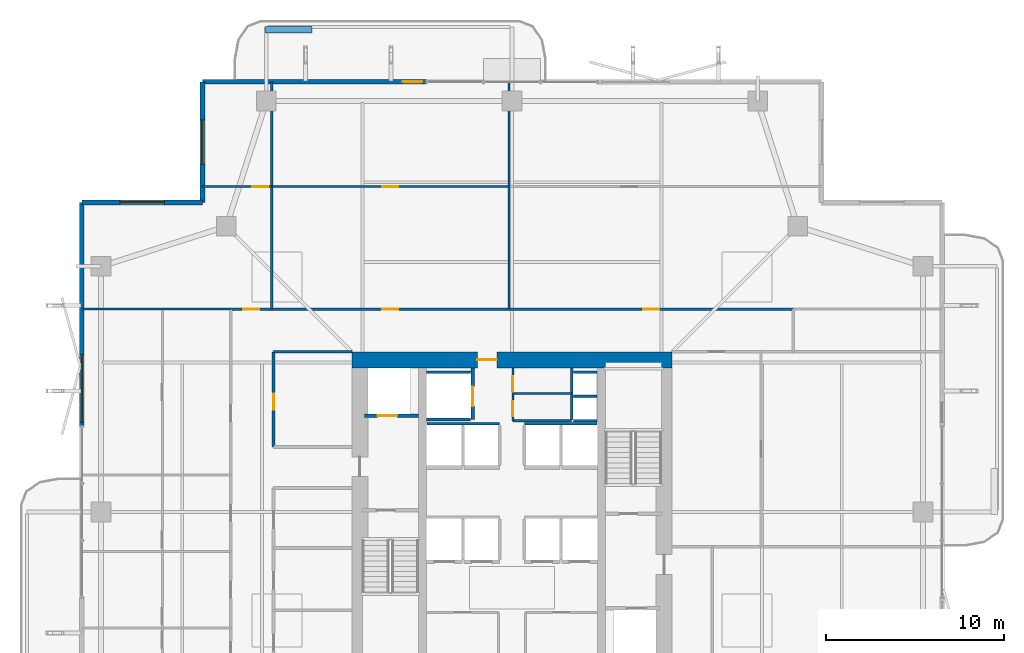
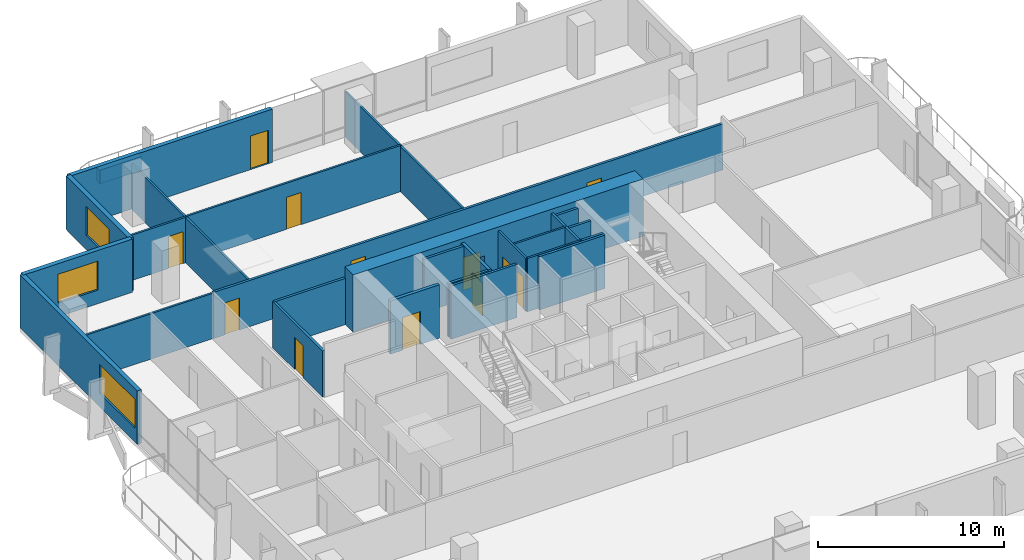
# One storey, part 20 of 25: 27 walls, 12 doors, 3 windows, 15 openings.
"""IFC4 building model written with IfcOpenShell, lengths in metres."""

from ifc_helpers import new_model, si_unit, direction, frame, frame_2d, origin, place, context, subcontext, project, spatial, rectangle, extrude, material, layer, layer_set, type_object, element, fill, save


model = new_model("IFC4")

# Units and contexts
model_context = context("Model", 3, precision=1e-05, world=origin(), true_north=direction((0.0, 1.0)))
body_context = subcontext(model_context, "Body", "Model", "MODEL_VIEW")
ifc_project = project(units=[si_unit("LENGTHUNIT", "METRE"), si_unit("AREAUNIT", "SQUARE_METRE"), si_unit("VOLUMEUNIT", "CUBIC_METRE"), si_unit("PLANEANGLEUNIT", "RADIAN"), si_unit("MASSUNIT", "GRAM", prefix="KILO")], contexts=[model_context])

# Site, building, storey
site_placement = place(None, origin())
site = spatial("IfcSite", under=ifc_project, at=site_placement, CompositionType="ELEMENT")
building_placement = place(site_placement, origin())
building = spatial("IfcBuilding", under=site, at=building_placement, Name="Belovzor Exchange Tower", CompositionType="ELEMENT")
storey_placement = place(building_placement, frame((0.0, 0.0, 153.300048828125)))
storey = spatial("IfcBuildingStorey", under=building, at=storey_placement, Name="L37", CompositionType="ELEMENT", Elevation=153.300048828125)

# Wall, opening, door
ifc_material_1 = material(Name="Acoustic Plasterboard on Galvanised Studs", Category="gypsum")
ifc_layer_1 = layer(ifc_material_1, 0.1201171875)
ifc_layer_set_1 = layer_set([ifc_layer_1], Name="Acoustic Plasterboard on Galvanised Studs")
wall_type_1 = type_object("IfcWallType", Name="Acoustic Double-Stud Partition Wall 120", PredefinedType="PARTITIONING", material=ifc_layer_set_1)
wall_1_placement = place(storey_placement, frame((11.39990234375, 47.0830078125, 0.0), z_axis=(0.0, 0.0, 1.0), x_axis=(1.0, 0.0, 0.0)))
wall_1 = element("IfcWall", 1, at=wall_1_placement, inside=storey, type_object=wall_type_1, Name="W-P120 Partition Wall W-L37-NHDIV-0", PredefinedType="PARTITIONING", context=body_context, shape_type="SweptSolid", body=[
    extrude(rectangle(XDim=3.900146484375, YDim=0.1201171875, at=frame_2d((1.9501953125, 0.0))), origin(), (0.0, 0.0, 1.0), 2.97998046875),
])
opening_1_placement = place(wall_1_placement, frame((2.800048828125, 0.0, 0.0)))
opening_1 = element("IfcOpeningElement", 2, at=opening_1_placement, cuts=wall_1, Name="Opening D-INT-090", PredefinedType="OPENING", context=body_context, shape_type="SweptSolid", body=[
    extrude(rectangle(XDim=0.89990234375, YDim=2.10009765625, at=frame_2d((0.449951171875, 1.050048828125))), frame((0.0, 0.070068359375, 0.0), z_axis=(0.0, -1.0, 0.0), x_axis=(1.0, 0.0, 0.0)), (0.0, 0.0, 1.0), 0.14013671875),
])
ifc_material_2 = material(Name="Veneered Hardwood Acoustic Leaf", Category="wood")
door_type_1 = type_object("IfcDoorType", Name="Trading Suite Acoustic Single Door 900x2100", OperationType="NOTDEFINED", PredefinedType="DOOR", material=ifc_material_2)
door_1_placement = place(opening_1_placement, origin())
door_1 = element("IfcDoor", 3, at=door_1_placement, inside=storey, type_object=door_type_1, Name="D-INT-090 Trading Suite Acoustic Single Door 900x2100", OperationType="SINGLE_SWING_RIGHT", OverallHeight=2.10009765625, OverallWidth=0.89990234375, PredefinedType="DOOR", context=body_context, shape_type="SweptSolid", body=[
    extrude(rectangle(XDim=0.89990234375, YDim=2.10009765625, at=frame_2d((0.449951171875, 1.050048828125))), frame((0.0, 0.02490234375, 0.0), z_axis=(0.0, -1.0, 0.0), x_axis=(1.0, 0.0, 0.0)), (0.0, 0.0, 1.0), 0.050048828125),
])
fill(opening_1, door_1)

# Wall
wall_2_placement = place(storey_placement, frame((15.300048828125, 40.199951171875, 0.0), z_axis=(0.0, 0.0, 1.0), x_axis=(0.0, 1.0, 0.0)))
element("IfcWall", 4, at=wall_2_placement, inside=storey, type_object=wall_type_1, Name="W-P120 Partition Wall W-L37-NDIV-1", PredefinedType="PARTITIONING", context=body_context, shape_type="SweptSolid", body=[
    extrude(rectangle(XDim=12.77001953125, YDim=0.1201171875, at=frame_2d((6.385009765625, 0.0))), origin(), (0.0, 0.0, 1.0), 2.97998046875),
])

# Wall, opening, door
wall_3_placement = place(storey_placement, frame((15.300048828125, 47.0830078125, 0.0), z_axis=(0.0, 0.0, 1.0), x_axis=(1.0, 0.0, 0.0)))
wall_3 = element("IfcWall", 5, at=wall_3_placement, inside=storey, type_object=wall_type_1, Name="W-P120 Partition Wall W-L37-NHDIV-1", PredefinedType="PARTITIONING", context=body_context, shape_type="SweptSolid", body=[
    extrude(rectangle(XDim=13.3310546875, YDim=0.1201171875, at=frame_2d((6.66552734375, 0.0))), origin(), (0.0, 0.0, 1.0), 3.030029296875),
])
opening_2_placement = place(wall_3_placement, frame((6.216064453125, 0.0, 0.0)))
opening_2 = element("IfcOpeningElement", 6, at=opening_2_placement, cuts=wall_3, Name="Opening D-INT-090", PredefinedType="OPENING", context=body_context, shape_type="SweptSolid", body=[
    extrude(rectangle(XDim=0.89990234375, YDim=2.10009765625, at=frame_2d((0.449951171875, 1.050048828125))), frame((0.0, 0.070068359375, 0.0), z_axis=(0.0, -1.0, 0.0), x_axis=(1.0, 0.0, 0.0)), (0.0, 0.0, 1.0), 0.14013671875),
])
door_2_placement = place(opening_2_placement, origin())
door_2 = element("IfcDoor", 7, at=door_2_placement, inside=storey, type_object=door_type_1, Name="D-INT-090 Trading Suite Acoustic Single Door 900x2100", OperationType="SINGLE_SWING_RIGHT", OverallHeight=2.10009765625, OverallWidth=0.89990234375, PredefinedType="DOOR", context=body_context, shape_type="SweptSolid", body=[
    extrude(rectangle(XDim=0.89990234375, YDim=2.10009765625, at=frame_2d((0.449951171875, 1.050048828125))), frame((0.0, 0.02490234375, 0.0), z_axis=(0.0, -1.0, 0.0), x_axis=(1.0, 0.0, 0.0)), (0.0, 0.0, 1.0), 0.050048828125),
])
fill(opening_2, door_2)

# Walls
wall_4_placement = place(storey_placement, frame((28.631103515625, 40.199951171875, 0.0), z_axis=(0.0, 0.0, 1.0), x_axis=(0.0, 1.0, 0.0)))
element("IfcWall", 8, at=wall_4_placement, inside=storey, type_object=wall_type_1, Name="W-P120 Partition Wall W-L37-NDIV-2", PredefinedType="PARTITIONING", context=body_context, shape_type="SweptSolid", body=[
    extrude(rectangle(XDim=12.77001953125, YDim=0.1201171875, at=frame_2d((6.385009765625, 0.0))), origin(), (0.0, 0.0, 1.0), 2.97998046875),
])
wall_5_placement = place(storey_placement, frame((4.6298828125, 40.199951171875, 0.0), z_axis=(0.0, 0.0, 1.0), x_axis=(1.0, 0.0, 0.0)))
element("IfcWall", 9, at=wall_5_placement, inside=storey, type_object=wall_type_1, Name="W-P120 Partition Wall W-L37-END-NW", PredefinedType="PARTITIONING", context=body_context, shape_type="SweptSolid", body=[
    extrude(rectangle(XDim=8.3701171875, YDim=0.1201171875, at=frame_2d((4.18505859375, 0.0))), origin(), (0.0, 0.0, 1.0), 2.97998046875),
])

# Wall, openings, doors
ifc_material_3 = material(Name="Fire-Rated Plasterboard on Galvanised Studs", Category="gypsum")
ifc_layer_2 = layer(ifc_material_3, 0.1201171875)
ifc_layer_set_2 = layer_set([ifc_layer_2], Name="Fire-Rated Plasterboard on Galvanised Studs")
wall_type_2 = type_object("IfcWallType", Name="Fire-Rated Double-Stud Partition Wall 120", PredefinedType="PARTITIONING", material=ifc_layer_set_2)
wall_6_placement = place(storey_placement, frame((28.85009765625, 33.925048828125, 0.0), z_axis=(0.0, 0.0, 1.0), x_axis=(0.0, 1.0, 0.0)))
wall_6 = element("IfcWall", 10, at=wall_6_placement, inside=storey, type_object=wall_type_2, Name="W-P120F Partition Wall W-CRV-L37-W", PredefinedType="PARTITIONING", context=body_context, shape_type="SweptSolid", body=[
    extrude(rectangle(XDim=2.974853515625, YDim=0.1201171875, at=frame_2d((1.4873046875, 0.0))), origin(), (0.0, 0.0, 1.0), 3.494873046875),
])
opening_3_placement = place(wall_6_placement, frame((0.25, 0.0, 0.0)))
opening_3 = element("IfcOpeningElement", 11, at=opening_3_placement, cuts=wall_6, Name="Opening D-FD60-085", PredefinedType="OPENING", context=body_context, shape_type="SweptSolid", body=[
    extrude(rectangle(XDim=0.85009765625, YDim=2.10009765625, at=frame_2d((0.425048828125, 1.050048828125))), frame((0.0, 0.070068359375, 0.0), z_axis=(0.0, -1.0, 0.0), x_axis=(1.0, 0.0, 0.0)), (0.0, 0.0, 1.0), 0.14013671875),
])
opening_4_placement = place(wall_6_placement, frame((1.64501953125, 0.0, 0.0)))
opening_4 = element("IfcOpeningElement", 12, at=opening_4_placement, cuts=wall_6, Name="Opening D-FD60-085", PredefinedType="OPENING", context=body_context, shape_type="SweptSolid", body=[
    extrude(rectangle(XDim=0.85009765625, YDim=2.10009765625, at=frame_2d((0.425048828125, 1.050048828125))), frame((0.0, 0.070068359375, 0.0), z_axis=(0.0, -1.0, 0.0), x_axis=(1.0, 0.0, 0.0)), (0.0, 0.0, 1.0), 0.14013671875),
])
ifc_material_4 = material(Name="Fire-Rated Steel Access Leaf", Category="steel")
door_type_2 = type_object("IfcDoorType", Name="Riser & Meter Closet Access Fire Door 850x2100", OperationType="NOTDEFINED", PredefinedType="DOOR", material=ifc_material_4)
door_3_placement = place(opening_3_placement, origin())
door_3 = element("IfcDoor", 13, at=door_3_placement, inside=storey, type_object=door_type_2, Name="D-FD60-085 Riser & Meter Closet Access Fire Door 850x2100", OperationType="SINGLE_SWING_LEFT", OverallHeight=2.10009765625, OverallWidth=0.85009765625, PredefinedType="DOOR", context=body_context, shape_type="SweptSolid", body=[
    extrude(rectangle(XDim=0.85009765625, YDim=2.10009765625, at=frame_2d((0.425048828125, 1.050048828125))), frame((0.0, 0.02490234375, 0.0), z_axis=(0.0, -1.0, 0.0), x_axis=(1.0, 0.0, 0.0)), (0.0, 0.0, 1.0), 0.050048828125),
])
fill(opening_3, door_3)
door_4_placement = place(opening_4_placement, origin())
door_4 = element("IfcDoor", 14, at=door_4_placement, inside=storey, type_object=door_type_2, Name="D-FD60-085 Riser & Meter Closet Access Fire Door 850x2100", OperationType="SINGLE_SWING_RIGHT", OverallHeight=2.10009765625, OverallWidth=0.85009765625, PredefinedType="DOOR", context=body_context, shape_type="SweptSolid", body=[
    extrude(rectangle(XDim=0.85009765625, YDim=2.10009765625, at=frame_2d((0.425048828125, 1.050048828125))), frame((0.0, 0.02490234375, 0.0), z_axis=(0.0, -1.0, 0.0), x_axis=(1.0, 0.0, 0.0)), (0.0, 0.0, 1.0), 0.050048828125),
])
fill(opening_4, door_4)

# Walls
for number, where, z_axis, x_axis, name in (
    (15, (28.85009765625, 35.449951171875, 0.0), (0.0, 0.0, 1.0), (1.0, 0.0, 0.0), "W-P120F Partition Wall W-CRV-L37-M"),
    (16, (28.85009765625, 33.925048828125, 0.0), (0.0, 0.0, 1.0), (1.0, 0.0, 0.0), "W-P120F Partition Wall W-CRV-L37-S"),
):
    element("IfcWall", number, at=place(storey_placement, frame(where, z_axis=z_axis, x_axis=x_axis)), inside=storey, type_object=wall_type_2, Name=name, PredefinedType="PARTITIONING", context=body_context, shape_type="SweptSolid", body=[
        extrude(rectangle(XDim=3.2998046875, YDim=0.1201171875, at=frame_2d((1.64990234375, 0.0))), origin(), (0.0, 0.0, 1.0), 3.494873046875),
    ])
ifc_material_5 = material(Name="Fire-Rated Gypsum Block and Mineral Wool", Category="gypsum")
ifc_layer_3 = layer(ifc_material_5, 0.14990234375)
ifc_layer_set_3 = layer_set([ifc_layer_3], Name="Fire-Rated Gypsum Block and Mineral Wool")
wall_type_3 = type_object("IfcWallType", Name="Fire-Rated Gypsum Block Corridor Wall 150", PredefinedType="PARTITIONING", material=ifc_layer_set_3)
wall_7_placement = place(storey_placement, frame((15.39990234375, 37.800048828125, 0.0), z_axis=(0.0, 0.0, 1.0), x_axis=(1.0, 0.0, 0.0)))
element("IfcWall", 17, at=wall_7_placement, inside=storey, type_object=wall_type_3, Name="W-P150 Partition Wall W-L37-INW-N", PredefinedType="PARTITIONING", context=body_context, shape_type="SweptSolid", body=[
    extrude(rectangle(XDim=4.400146484375, YDim=0.14990234375, at=frame_2d((2.2001953125, 0.0))), origin(), (0.0, 0.0, 1.0), 3.030029296875),
])

# Wall, opening, door
wall_8_placement = place(storey_placement, frame((15.39990234375, 32.449951171875, 0.0), z_axis=(0.0, 0.0, 1.0), x_axis=(0.0, 1.0, 0.0)))
wall_8 = element("IfcWall", 18, at=wall_8_placement, inside=storey, type_object=wall_type_3, Name="W-P150 Partition Wall W-L37-WIE-N", PredefinedType="PARTITIONING", context=body_context, shape_type="SweptSolid", body=[
    extrude(rectangle(XDim=5.35009765625, YDim=0.14990234375, at=frame_2d((2.675048828125, 0.0))), origin(), (0.0, 0.0, 1.0), 3.030029296875),
])
opening_5_placement = place(wall_8_placement, frame((2.10009765625, 0.0, 0.0)))
opening_5 = element("IfcOpeningElement", 19, at=opening_5_placement, cuts=wall_8, Name="Opening D-FD60-090", PredefinedType="OPENING", context=body_context, shape_type="SweptSolid", body=[
    extrude(rectangle(XDim=0.89990234375, YDim=2.10009765625, at=frame_2d((0.449951171875, 1.050048828125))), frame((0.0, 0.0849609375, 0.0), z_axis=(0.0, -1.0, 0.0), x_axis=(1.0, 0.0, 0.0)), (0.0, 0.0, 1.0), 0.169921875),
])
ifc_material_6 = material(Name="Acoustic Timber Fire Leaf", Category="wood")
door_type_3 = type_object("IfcDoorType", Name="Core Service & Restroom Fire Door 900x2100", OperationType="NOTDEFINED", PredefinedType="DOOR", material=ifc_material_6)
door_5_placement = place(opening_5_placement, origin())
door_5 = element("IfcDoor", 20, at=door_5_placement, inside=storey, type_object=door_type_3, Name="D-FD60-090 Core Service & Restroom Fire Door 900x2100", OperationType="SINGLE_SWING_LEFT", OverallHeight=2.10009765625, OverallWidth=0.89990234375, PredefinedType="DOOR", context=body_context, shape_type="SweptSolid", body=[
    extrude(rectangle(XDim=0.89990234375, YDim=2.10009765625, at=frame_2d((0.449951171875, 1.050048828125))), frame((0.0, 0.02490234375, 0.0), z_axis=(0.0, -1.0, 0.0), x_axis=(1.0, 0.0, 0.0)), (0.0, 0.0, 1.0), 0.050048828125),
])
fill(opening_5, door_5)

# Wall, openings, doors
wall_9_placement = place(storey_placement, frame((13.0, 40.199951171875, 0.0), z_axis=(0.0, 0.0, 1.0), x_axis=(1.0, 0.0, 0.0)))
wall_9 = element("IfcWall", 21, at=wall_9_placement, inside=storey, type_object=wall_type_3, Name="W-P150 Partition Wall W-L37-CN", PredefinedType="PARTITIONING", context=body_context, shape_type="SweptSolid", body=[
    extrude(rectangle(XDim=31.60009765625, YDim=0.14990234375, at=frame_2d((15.800048828125, 0.0))), origin(), (0.0, 0.0, 1.0), 3.030029296875),
])
opening_6_placement = place(wall_9_placement, frame((0.699951171875, 0.0, 0.0)))
opening_6 = element("IfcOpeningElement", 22, at=opening_6_placement, cuts=wall_9, Name="Opening D-INT-090", PredefinedType="OPENING", context=body_context, shape_type="SweptSolid", body=[
    extrude(rectangle(XDim=0.89990234375, YDim=2.10009765625, at=frame_2d((0.449951171875, 1.050048828125))), frame((0.0, 0.0849609375, 0.0), z_axis=(0.0, -1.0, 0.0), x_axis=(1.0, 0.0, 0.0)), (0.0, 0.0, 1.0), 0.169921875),
])
opening_7_placement = place(wall_9_placement, frame((8.514892578125, 0.0, 0.0)))
opening_7 = element("IfcOpeningElement", 23, at=opening_7_placement, cuts=wall_9, Name="Opening D-INT-090", PredefinedType="OPENING", context=body_context, shape_type="SweptSolid", body=[
    extrude(rectangle(XDim=0.89990234375, YDim=2.10009765625, at=frame_2d((0.449951171875, 1.050048828125))), frame((0.0, 0.0849609375, 0.0), z_axis=(0.0, -1.0, 0.0), x_axis=(1.0, 0.0, 0.0)), (0.0, 0.0, 1.0), 0.169921875),
])
opening_8_placement = place(wall_9_placement, frame((23.1650390625, 0.0, 0.0)))
opening_8 = element("IfcOpeningElement", 24, at=opening_8_placement, cuts=wall_9, Name="Opening D-INT-090", PredefinedType="OPENING", context=body_context, shape_type="SweptSolid", body=[
    extrude(rectangle(XDim=0.89990234375, YDim=2.10009765625, at=frame_2d((0.449951171875, 1.050048828125))), frame((0.0, 0.0849609375, 0.0), z_axis=(0.0, -1.0, 0.0), x_axis=(1.0, 0.0, 0.0)), (0.0, 0.0, 1.0), 0.169921875),
])
door_6_placement = place(opening_6_placement, origin())
door_6 = element("IfcDoor", 25, at=door_6_placement, inside=storey, type_object=door_type_1, Name="D-INT-090 Trading Suite Acoustic Single Door 900x2100", OperationType="SINGLE_SWING_RIGHT", OverallHeight=2.10009765625, OverallWidth=0.89990234375, PredefinedType="DOOR", context=body_context, shape_type="SweptSolid", body=[
    extrude(rectangle(XDim=0.89990234375, YDim=2.10009765625, at=frame_2d((0.449951171875, 1.050048828125))), frame((0.0, 0.02490234375, 0.0), z_axis=(0.0, -1.0, 0.0), x_axis=(1.0, 0.0, 0.0)), (0.0, 0.0, 1.0), 0.050048828125),
])
fill(opening_6, door_6)
door_7_placement = place(opening_7_placement, origin())
door_7 = element("IfcDoor", 26, at=door_7_placement, inside=storey, type_object=door_type_1, Name="D-INT-090 Trading Suite Acoustic Single Door 900x2100", OperationType="SINGLE_SWING_LEFT", OverallHeight=2.10009765625, OverallWidth=0.89990234375, PredefinedType="DOOR", context=body_context, shape_type="SweptSolid", body=[
    extrude(rectangle(XDim=0.89990234375, YDim=2.10009765625, at=frame_2d((0.449951171875, 1.050048828125))), frame((0.0, 0.02490234375, 0.0), z_axis=(0.0, -1.0, 0.0), x_axis=(1.0, 0.0, 0.0)), (0.0, 0.0, 1.0), 0.050048828125),
])
fill(opening_7, door_7)
door_8_placement = place(opening_8_placement, origin())
door_8 = element("IfcDoor", 27, at=door_8_placement, inside=storey, type_object=door_type_1, Name="D-INT-090 Trading Suite Acoustic Single Door 900x2100", OperationType="SINGLE_SWING_RIGHT", OverallHeight=2.10009765625, OverallWidth=0.89990234375, PredefinedType="DOOR", context=body_context, shape_type="SweptSolid", body=[
    extrude(rectangle(XDim=0.89990234375, YDim=2.10009765625, at=frame_2d((0.449951171875, 1.050048828125))), frame((0.0, 0.02490234375, 0.0), z_axis=(0.0, -1.0, 0.0), x_axis=(1.0, 0.0, 0.0)), (0.0, 0.0, 1.0), 0.050048828125),
])
fill(opening_8, door_8)

# Wall, opening, window
ifc_material_7 = material(Name="Precast concrete C40/50", Category="concrete")
ifc_layer_4 = layer(ifc_material_7, 0.280029296875)
ifc_layer_set_4 = layer_set([ifc_layer_4], Name="Precast concrete C40/50")
wall_type_4 = type_object("IfcWallType", Name="Precast Concrete Notched Corner Frame Wall 280", PredefinedType="SOLIDWALL", material=ifc_layer_set_4)
wall_10_placement = place(storey_placement, frame((4.6298828125, 46.199951171875, 0.0), z_axis=(0.0, 0.0, 1.0), x_axis=(1.0, 0.0, 0.0)))
wall_10 = element("IfcWall", 28, at=wall_10_placement, inside=storey, type_object=wall_type_4, Name="W-CRN280 Precast Concrete Notched Corner Frame Wall 280 L37", PredefinedType="SOLIDWALL", context=body_context, shape_type="SweptSolid", body=[
    extrude(rectangle(XDim=6.77001953125, YDim=0.280029296875, at=frame_2d((3.385009765625, 0.0))), origin(), (0.0, 0.0, 1.0), 3.494873046875),
])
opening_9_placement = place(wall_10_placement, frame((2.135009765625, 0.0, 0.89990234375)))
opening_9 = element("IfcOpeningElement", 29, at=opening_9_placement, cuts=wall_10, Name="Opening WN-CRN250", PredefinedType="OPENING", context=body_context, shape_type="SweptSolid", body=[
    extrude(rectangle(XDim=2.5, YDim=1.89990234375, at=frame_2d((1.25, 0.949951171875))), frame((0.0, 0.14990234375, 0.0), z_axis=(0.0, -1.0, 0.0), x_axis=(1.0, 0.0, 0.0)), (0.0, 0.0, 1.0), 0.300048828125),
])
ifc_material_8 = material(Name="Thermally Broken Aluminium and Triple Glazing", Category="aluminium")
window_type_1 = type_object("IfcWindowType", Name="Streamline Moderne Corner Wrap Ribbon Window 2500x1900", PartitioningType="SINGLE_PANEL", PredefinedType="WINDOW", material=ifc_material_8)
window_1_placement = place(opening_9_placement, origin())
window_1 = element("IfcWindow", 30, at=window_1_placement, inside=storey, type_object=window_type_1, Name="WN-CRN250 Streamline Moderne Corner Wrap Ribbon Window 2500x1900", OverallHeight=1.89990234375, OverallWidth=2.5, PartitioningType="SINGLE_PANEL", PredefinedType="WINDOW", context=body_context, shape_type="SweptSolid", body=[
    extrude(rectangle(XDim=2.5, YDim=1.89990234375, at=frame_2d((1.25, 0.949951171875))), frame((0.0, 0.030029296875, 0.0), z_axis=(0.0, -1.0, 0.0), x_axis=(1.0, 0.0, 0.0)), (0.0, 0.0, 1.0), 0.06005859375),
])
fill(opening_9, window_1)

wall_11_placement = place(storey_placement, frame((11.39990234375, 46.199951171875, 0.0), z_axis=(0.0, 0.0, 1.0), x_axis=(0.0, 1.0, 0.0)))
wall_11 = element("IfcWall", 31, at=wall_11_placement, inside=storey, type_object=wall_type_4, Name="W-CRN280 Precast Concrete Notched Corner Frame Wall 280 L37", PredefinedType="SOLIDWALL", context=body_context, shape_type="SweptSolid", body=[
    extrude(rectangle(XDim=6.77001953125, YDim=0.280029296875, at=frame_2d((3.385009765625, 0.0))), origin(), (0.0, 0.0, 1.0), 3.494873046875),
])
opening_10_placement = place(wall_11_placement, frame((2.135009765625, 0.0, 0.89990234375)))
opening_10 = element("IfcOpeningElement", 32, at=opening_10_placement, cuts=wall_11, Name="Opening WN-CRN250", PredefinedType="OPENING", context=body_context, shape_type="SweptSolid", body=[
    extrude(rectangle(XDim=2.5, YDim=1.89990234375, at=frame_2d((1.25, 0.949951171875))), frame((0.0, 0.14990234375, 0.0), z_axis=(0.0, -1.0, 0.0), x_axis=(1.0, 0.0, 0.0)), (0.0, 0.0, 1.0), 0.300048828125),
])
window_2_placement = place(opening_10_placement, origin())
window_2 = element("IfcWindow", 33, at=window_2_placement, inside=storey, type_object=window_type_1, Name="WN-CRN250 Streamline Moderne Corner Wrap Ribbon Window 2500x1900", OverallHeight=1.89990234375, OverallWidth=2.5, PartitioningType="SINGLE_PANEL", PredefinedType="WINDOW", context=body_context, shape_type="SweptSolid", body=[
    extrude(rectangle(XDim=2.5, YDim=1.89990234375, at=frame_2d((1.25, 0.949951171875))), frame((0.0, 0.030029296875, 0.0), z_axis=(0.0, -1.0, 0.0), x_axis=(1.0, 0.0, 0.0)), (0.0, 0.0, 1.0), 0.06005859375),
])
fill(opening_10, window_2)

# Wall, opening, door
ifc_material_9 = material(Name="Precast concrete C40/50", Category="concrete")
ifc_layer_5 = layer(ifc_material_9, 0.260009765625)
ifc_layer_set_5 = layer_set([ifc_layer_5], Name="Precast concrete C40/50")
wall_type_5 = type_object("IfcWallType", Name="Precast Concrete Perimeter Loggia Frame Wall 260", PredefinedType="SOLIDWALL", material=ifc_layer_set_5)
wall_12_placement = place(storey_placement, frame((11.39990234375, 52.969970703125, 0.0), z_axis=(0.0, 0.0, 1.0), x_axis=(1.0, 0.0, 0.0)))
wall_12 = element("IfcWall", 34, at=wall_12_placement, inside=storey, type_object=wall_type_5, Name="W-EXT260 Precast Concrete Perimeter Loggia Frame Wall 260 L37", PredefinedType="SOLIDWALL", context=body_context, shape_type="SweptSolid", body=[
    extrude(rectangle(XDim=12.60009765625, YDim=0.260009765625, at=frame_2d((6.300048828125, 0.0))), origin(), (0.0, 0.0, 1.0), 3.494873046875),
])
opening_11_placement = place(wall_12_placement, frame((11.25, 0.0, 0.0)))
opening_11 = element("IfcOpeningElement", 35, at=opening_11_placement, cuts=wall_12, Name="Opening D-BAL110", PredefinedType="OPENING", context=body_context, shape_type="SweptSolid", body=[
    extrude(rectangle(XDim=1.10009765625, YDim=2.199951171875, at=frame_2d((0.550048828125, 1.10009765625))), frame((0.0, 0.139892578125, 0.0), z_axis=(0.0, -1.0, 0.0), x_axis=(1.0, 0.0, 0.0)), (0.0, 0.0, 1.0), 0.280029296875),
])
ifc_material_10 = material(Name="Thermally Broken Anodised Aluminium and Laminated Glass", Category="aluminium")
door_type_4 = type_object("IfcDoorType", Name="Planted Loggia Terrace Glazed Door 1100x2200", OperationType="SINGLE_SWING_LEFT", PredefinedType="DOOR", material=ifc_material_10)
door_9_placement = place(opening_11_placement, origin())
door_9 = element("IfcDoor", 36, at=door_9_placement, inside=storey, type_object=door_type_4, Name="D-BAL110 Balcony Terrace Door L37 N", OperationType="SINGLE_SWING_RIGHT", OverallHeight=2.199951171875, OverallWidth=1.10009765625, PredefinedType="DOOR", context=body_context, shape_type="SweptSolid", body=[
    extrude(rectangle(XDim=1.10009765625, YDim=2.199951171875, at=frame_2d((0.550048828125, 1.10009765625))), frame((0.0, 0.02490234375, 0.0), z_axis=(0.0, -1.0, 0.0), x_axis=(1.0, 0.0, 0.0)), (0.0, 0.0, 1.0), 0.050048828125),
])
fill(opening_11, door_9)

# Wall, opening, window
wall_13_placement = place(storey_placement, frame((4.6298828125, 33.60009765625, 0.0), z_axis=(0.0, 0.0, 1.0), x_axis=(0.0, 1.0, 0.0)))
wall_13 = element("IfcWall", 37, at=wall_13_placement, inside=storey, type_object=wall_type_5, Name="W-EXT260 Precast Concrete Perimeter Loggia Frame Wall 260 L37", PredefinedType="SOLIDWALL", context=body_context, shape_type="SweptSolid", body=[
    extrude(rectangle(XDim=12.599853515625, YDim=0.260009765625, at=frame_2d((6.2998046875, 0.0))), origin(), (0.0, 0.0, 1.0), 3.494873046875),
])
opening_12_placement = place(wall_13_placement, frame((0.25, 0.0, 0.89990234375)))
opening_12 = element("IfcOpeningElement", 38, at=opening_12_placement, cuts=wall_13, Name="Opening WN-RIB380", PredefinedType="OPENING", context=body_context, shape_type="SweptSolid", body=[
    extrude(rectangle(XDim=3.800048828125, YDim=1.89990234375, at=frame_2d((1.89990234375, 0.949951171875))), frame((0.0, 0.139892578125, 0.0), z_axis=(0.0, -1.0, 0.0), x_axis=(1.0, 0.0, 0.0)), (0.0, 0.0, 1.0), 0.280029296875),
])
ifc_material_11 = material(Name="Thermally Broken Aluminium and Triple Glazing", Category="aluminium")
window_type_2 = type_object("IfcWindowType", Name="Streamline Moderne Horizontal Ribbon Window 3800x1900", PartitioningType="SINGLE_PANEL", PredefinedType="WINDOW", material=ifc_material_11)
window_3_placement = place(opening_12_placement, origin())
window_3 = element("IfcWindow", 39, at=window_3_placement, inside=storey, type_object=window_type_2, Name="WN-RIB380 Streamline Moderne Horizontal Ribbon Window 3800x1900", OverallHeight=1.89990234375, OverallWidth=3.800048828125, PartitioningType="SINGLE_PANEL", PredefinedType="WINDOW", context=body_context, shape_type="SweptSolid", body=[
    extrude(rectangle(XDim=3.800048828125, YDim=1.89990234375, at=frame_2d((1.89990234375, 0.949951171875))), frame((0.0, 0.030029296875, 0.0), z_axis=(0.0, -1.0, 0.0), x_axis=(1.0, 0.0, 0.0)), (0.0, 0.0, 1.0), 0.06005859375),
])
fill(opening_12, window_3)

# Walls
ifc_material_12 = material(Name="Precast concrete C40/50", Category="concrete")
ifc_layer_6 = layer(ifc_material_12, 0.35009765625)
ifc_layer_set_6 = layer_set([ifc_layer_6], Name="Precast concrete C40/50")
wall_type_6 = type_object("IfcWallType", Name="Precast Concrete Structural Tree Planter Trough 350", PredefinedType="PARAPET", material=ifc_layer_set_6)
wall_14_placement = place(storey_placement, frame((14.949951171875, 55.89990234375, 0.0), z_axis=(0.0, 0.0, 1.0), x_axis=(1.0, 0.0, 0.0)))
element("IfcWall", 40, at=wall_14_placement, inside=storey, type_object=wall_type_6, Name="PT-350 Precast Concrete Structural Tree Planter Trough 350 L37", PredefinedType="PARAPET", context=body_context, shape_type="SweptSolid", body=[
    extrude(rectangle(XDim=2.60009765625, YDim=0.35009765625, at=frame_2d((1.300048828125, 0.0))), origin(), (0.0, 0.0, 1.0), 0.89990234375),
])
ifc_material_13 = material(Name="Concrete C50/60", Category="concrete")
ifc_layer_7 = layer(ifc_material_13, 0.14990234375)
ifc_layer_set_7 = layer_set([ifc_layer_7], Name="Concrete C50/60")
wall_type_7 = type_object("IfcWallType", Name="Reinforced Concrete Core Riser Shear Wall 150", PredefinedType="SHEAR", material=ifc_layer_set_7)
wall_15_placement = place(storey_placement, frame((32.14990234375, 34.0, 0.0), z_axis=(0.0, 0.0, 1.0), x_axis=(0.0, 1.0, 0.0)))
element("IfcWall", 41, at=wall_15_placement, inside=storey, type_object=wall_type_7, Name="W-C150S Core Shaft Wall W-RSR-L37-E", PredefinedType="SHEAR", context=body_context, shape_type="SweptSolid", body=[
    extrude(rectangle(XDim=2.89990234375, YDim=0.14990234375, at=frame_2d((1.449951171875, 0.0))), origin(), (0.0, 0.0, 1.0), 3.494873046875),
])
for number, where, z_axis, x_axis, name in (
    (42, (32.25, 33.925048828125, 0.0), (0.0, 0.0, 1.0), (1.0, 0.0, 0.0), "W-C150S Core Shaft Wall W-RSR-L37-S"),
    (43, (32.25, 35.300048828125, 0.0), (0.0, 0.0, 1.0), (1.0, 0.0, 0.0), "W-C150S Core Shaft Wall W-RSR-L37-M"),
):
    element("IfcWall", number, at=place(storey_placement, frame(where, z_axis=z_axis, x_axis=x_axis)), inside=storey, type_object=wall_type_7, Name=name, PredefinedType="SHEAR", context=body_context, shape_type="SweptSolid", body=[
        extrude(rectangle(XDim=1.330078125, YDim=0.14990234375, at=frame_2d((0.6650390625, 0.0))), origin(), (0.0, 0.0, 1.0), 3.494873046875),
    ])
for number, where, z_axis, x_axis, name in (
    (44, (24.0, 34.0, 0.0), (0.0, 0.0, 1.0), (1.0, 0.0, 0.0), "W-C150S Core Shaft Wall W-SH-L37-SL-01S"),
    (45, (24.0, 36.64990234375, 0.0), (0.0, 0.0, 1.0), (1.0, 0.0, 0.0), "W-C150S Core Shaft Wall W-SH-L37-SL-01N"),
):
    element("IfcWall", number, at=place(storey_placement, frame(where, z_axis=z_axis, x_axis=x_axis)), inside=storey, type_object=wall_type_7, Name=name, PredefinedType="SHEAR", context=body_context, shape_type="SweptSolid", body=[
        extrude(rectangle(XDim=2.47998046875, YDim=0.14990234375, at=frame_2d((1.239990234375, 0.0))), origin(), (0.0, 0.0, 1.0), 3.494873046875),
    ])
wall_16_placement = place(storey_placement, frame((32.25, 36.64990234375, 0.0), z_axis=(0.0, 0.0, 1.0), x_axis=(1.0, 0.0, 0.0)))
element("IfcWall", 46, at=wall_16_placement, inside=storey, type_object=wall_type_7, Name="W-C150S Core Shaft Wall W-RSR-L37-N", PredefinedType="SHEAR", context=body_context, shape_type="SweptSolid", body=[
    extrude(rectangle(XDim=1.330078125, YDim=0.14990234375, at=frame_2d((0.6650390625, 0.0))), origin(), (0.0, 0.0, 1.0), 3.494873046875),
])
for number, where, z_axis, x_axis, name in (
    (47, (24.02001953125, 33.760009765625, 0.0), (0.0, 0.0, 1.0), (1.0, 0.0, 0.0), "W-C150S Core Shaft Wall W-SHB-L37-PLH-NW"),
    (48, (29.5, 33.760009765625, 0.0), (0.0, 0.0, 1.0), (1.0, 0.0, 0.0), "W-C150S Core Shaft Wall W-SHB-L37-PLH-NE"),
):
    element("IfcWall", number, at=place(storey_placement, frame(where, z_axis=z_axis, x_axis=x_axis)), inside=storey, type_object=wall_type_7, Name=name, PredefinedType="SHEAR", context=body_context, shape_type="SweptSolid", body=[
        extrude(rectangle(XDim=4.080078125, YDim=0.14990234375, at=frame_2d((2.0400390625, 0.0))), origin(), (0.0, 0.0, 1.0), 3.494873046875),
    ])

# Wall, opening, door
ifc_material_14 = material(Name="Concrete C50/60", Category="concrete")
ifc_layer_8 = layer(ifc_material_14, 0.199951171875)
ifc_layer_set_8 = layer_set([ifc_layer_8], Name="Concrete C50/60")
wall_type_8 = type_object("IfcWallType", Name="Reinforced Concrete Core Shaft Shear Wall 200", PredefinedType="SHEAR", material=ifc_layer_set_8)
wall_17_placement = place(storey_placement, frame((20.5, 34.199951171875, 0.0), z_axis=(0.0, 0.0, 1.0), x_axis=(1.0, 0.0, 0.0)))
wall_17 = element("IfcWall", 49, at=wall_17_placement, inside=storey, type_object=wall_type_8, Name="W-C200S Core Shaft Wall W-SH-L37-FFL-01", PredefinedType="SHEAR", context=body_context, shape_type="SweptSolid", body=[
    extrude(rectangle(XDim=3.050048828125, YDim=0.199951171875, at=frame_2d((1.52490234375, 0.0))), origin(), (0.0, 0.0, 1.0), 3.494873046875),
])
opening_13_placement = place(wall_17_placement, frame((0.75, 0.0, 0.0)))
opening_13 = element("IfcOpeningElement", 50, at=opening_13_placement, cuts=wall_17, Name="Opening LD-110", PredefinedType="OPENING", context=body_context, shape_type="SweptSolid", body=[
    extrude(rectangle(XDim=1.10009765625, YDim=2.14990234375, at=frame_2d((0.550048828125, 1.074951171875))), frame((0.0, 0.10986328125, 0.0), z_axis=(0.0, -1.0, 0.0), x_axis=(1.0, 0.0, 0.0)), (0.0, 0.0, 1.0), 0.219970703125),
])
ifc_material_15 = material(Name="Stainless Steel Grade 304", Category="steel")
door_type_5 = type_object("IfcDoorType", Name="Automated Stainless Steel Lift Landing Door 1100x2150", OperationType="SLIDING_TO_RIGHT", PredefinedType="DOOR", material=ifc_material_15)
door_10_placement = place(opening_13_placement, origin())
door_10 = element("IfcDoor", 51, at=door_10_placement, inside=storey, type_object=door_type_5, Name="LD-110 Automated Stainless Steel Lift Landing Door 1100x2150", OperationType="SLIDING_TO_RIGHT", OverallHeight=2.14990234375, OverallWidth=1.10009765625, PredefinedType="DOOR", context=body_context, shape_type="SweptSolid", body=[
    extrude(rectangle(XDim=1.10009765625, YDim=2.14990234375, at=frame_2d((0.550048828125, 1.074951171875))), frame((0.0, 0.02490234375, 0.0), z_axis=(0.0, -1.0, 0.0), x_axis=(1.0, 0.0, 0.0)), (0.0, 0.0, 1.0), 0.050048828125),
])
fill(opening_13, door_10)

wall_18_placement = place(storey_placement, frame((26.60009765625, 34.0, 0.0), z_axis=(0.0, 0.0, 1.0), x_axis=(0.0, 1.0, 0.0)))
wall_18 = element("IfcWall", 52, at=wall_18_placement, inside=storey, type_object=wall_type_8, Name="W-C200S Core Shaft Wall W-SH-L37-SL-01", PredefinedType="SHEAR", context=body_context, shape_type="SweptSolid", body=[
    extrude(rectangle(XDim=2.89990234375, YDim=0.199951171875, at=frame_2d((1.449951171875, 0.0))), origin(), (0.0, 0.0, 1.0), 3.494873046875),
])
opening_14_placement = place(wall_18_placement, frame((0.75, 0.0, 0.0)))
opening_14 = element("IfcOpeningElement", 53, at=opening_14_placement, cuts=wall_18, Name="Opening LD-110", PredefinedType="OPENING", context=body_context, shape_type="SweptSolid", body=[
    extrude(rectangle(XDim=1.10009765625, YDim=2.14990234375, at=frame_2d((0.550048828125, 1.074951171875))), frame((0.0, 0.10986328125, 0.0), z_axis=(0.0, -1.0, 0.0), x_axis=(1.0, 0.0, 0.0)), (0.0, 0.0, 1.0), 0.219970703125),
])
door_11_placement = place(opening_14_placement, origin())
door_11 = element("IfcDoor", 54, at=door_11_placement, inside=storey, type_object=door_type_5, Name="LD-110 Automated Stainless Steel Lift Landing Door 1100x2150", OperationType="SLIDING_TO_RIGHT", OverallHeight=2.14990234375, OverallWidth=1.10009765625, PredefinedType="DOOR", context=body_context, shape_type="SweptSolid", body=[
    extrude(rectangle(XDim=1.10009765625, YDim=2.14990234375, at=frame_2d((0.550048828125, 1.074951171875))), frame((0.0, 0.02490234375, 0.0), z_axis=(0.0, -1.0, 0.0), x_axis=(1.0, 0.0, 0.0)), (0.0, 0.0, 1.0), 0.050048828125),
])
fill(opening_14, door_11)

ifc_material_16 = material(Name="Concrete C60/75", Category="concrete")
ifc_layer_9 = layer(ifc_material_16, 0.89990234375)
ifc_layer_set_9 = layer_set([ifc_layer_9], Name="Concrete C60/75")
wall_type_9 = type_object("IfcWallType", Name="Reinforced Concrete Core Shear Wall 900", PredefinedType="SHEAR", material=ifc_layer_set_9)
wall_19_placement = place(storey_placement, frame((19.800048828125, 37.35009765625, 0.0), z_axis=(0.0, 0.0, 1.0), x_axis=(1.0, 0.0, 0.0)))
wall_19 = element("IfcWall", 55, at=wall_19_placement, inside=storey, type_object=wall_type_9, Name="CW-S090 Core Shear Wall L37 N", PredefinedType="SHEAR", context=body_context, shape_type="SweptSolid", body=[
    extrude(rectangle(XDim=18.0, YDim=0.89990234375, at=frame_2d((9.0, 0.0))), origin(), (0.0, 0.0, 1.0), 3.75),
])
opening_15_placement = place(wall_19_placement, frame((7.050048828125, 0.0, 0.0)))
opening_15 = element("IfcOpeningElement", 56, at=opening_15_placement, cuts=wall_19, Name="Opening D-FD90-110", PredefinedType="OPENING", context=body_context, shape_type="SweptSolid", body=[
    extrude(rectangle(XDim=1.10009765625, YDim=2.14990234375, at=frame_2d((0.550048828125, 1.074951171875))), frame((0.0, 0.4599609375, 0.0), z_axis=(0.0, -1.0, 0.0), x_axis=(1.0, 0.0, 0.0)), (0.0, 0.0, 1.0), 0.919921875),
])
ifc_material_17 = material(Name="Fire-Rated Galvanised Steel Leaf", Category="steel")
door_type_6 = type_object("IfcDoorType", Name="Protected Escape Vestibule Fire Door 1100x2150", OperationType="NOTDEFINED", PredefinedType="DOOR", material=ifc_material_17)
door_12_placement = place(opening_15_placement, origin())
door_12 = element("IfcDoor", 57, at=door_12_placement, inside=storey, type_object=door_type_6, Name="D-FD90-110 Protected Escape Vestibule Fire Door 1100x2150", OperationType="SINGLE_SWING_RIGHT", OverallHeight=2.14990234375, OverallWidth=1.10009765625, PredefinedType="DOOR", context=body_context, shape_type="SweptSolid", body=[
    extrude(rectangle(XDim=1.10009765625, YDim=2.14990234375, at=frame_2d((0.550048828125, 1.074951171875))), frame((0.0, 0.02490234375, 0.0), z_axis=(0.0, -1.0, 0.0), x_axis=(1.0, 0.0, 0.0)), (0.0, 0.0, 1.0), 0.050048828125),
])
fill(opening_15, door_12)

save(model, "model.ifc")
